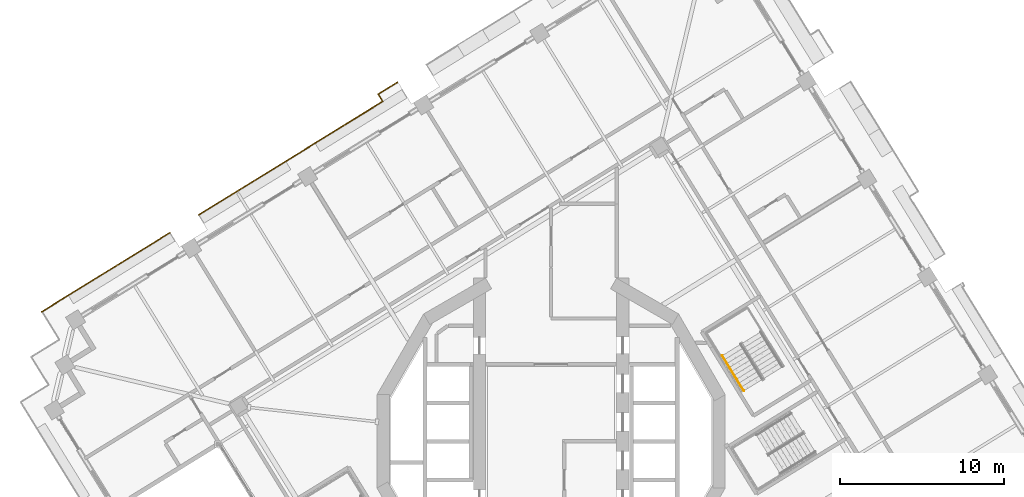
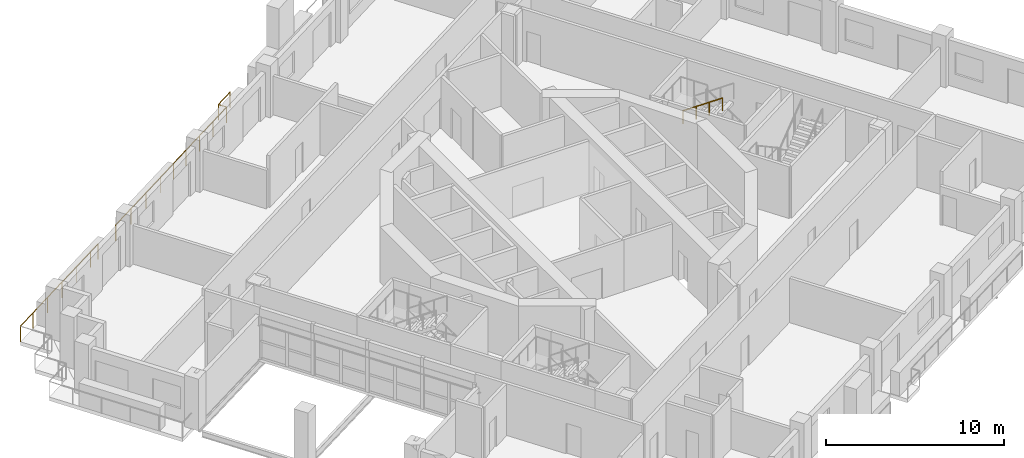
# One storey, part 17 of 20: 3 railings.
"""IFC4 building model written with IfcOpenShell, lengths in metres."""

from ifc_helpers import new_model, si_unit, direction, frame, origin, origin_2d, place, context, subcontext, project, spatial, circle, extrude, material, type_object, element, save


model = new_model("IFC4")

# Units and contexts
model_context = context("Model", 3, precision=1e-05, world=origin(), true_north=direction((0.0, 1.0)))
body_context = subcontext(model_context, "Body", "Model", "MODEL_VIEW")
ifc_project = project(units=[si_unit("LENGTHUNIT", "METRE"), si_unit("AREAUNIT", "SQUARE_METRE"), si_unit("VOLUMEUNIT", "CUBIC_METRE"), si_unit("PLANEANGLEUNIT", "RADIAN"), si_unit("MASSUNIT", "GRAM", prefix="KILO")], contexts=[model_context])

# Site, building, storey
site_placement = place(None, origin())
site = spatial("IfcSite", under=ifc_project, at=site_placement, CompositionType="ELEMENT")
building_placement = place(site_placement, origin())
building = spatial("IfcBuilding", under=site, at=building_placement, Name="Cantera Rosa Tower", CompositionType="ELEMENT")
storey_placement = place(building_placement, frame((0.0, 0.0, 155.199951171875)))
storey = spatial("IfcBuildingStorey", under=building, at=storey_placement, Name="L33", CompositionType="ELEMENT", Elevation=155.199951171875)

# Railings
ifc_material_1 = material(Name="Stainless steel and laminated glass", Category="steel")
railing_type_1 = type_object("IfcRailingType", Name="GUARD 1100", PredefinedType="BALUSTRADE", material=ifc_material_1)
railing_1_placement = place(storey_placement, frame((-31.08056640625, 7.911376953125, 0.0)))
element("IfcRailing", 1, at=railing_1_placement, inside=storey, type_object=railing_type_1, Name="GUARD L33-4", PredefinedType="BALUSTRADE", context=body_context, shape_type="SweptSolid", body=[
    extrude(circle(Radius=0.030029296875, at=origin_2d()), frame((0.0, 0.0, 1.070068359375), z_axis=(0.851138143202, 0.52494176933, 0.0), x_axis=(-0.52494176933, 0.851138143202, 0.0)), (0.0, 0.0, 1.0), 1.5),
    extrude(circle(Radius=0.030029296875, at=origin_2d()), frame((1.276611328125, 0.787353515625, 1.070068359375), z_axis=(0.851120753703, 0.524969963537, 0.0), x_axis=(-0.524969963537, 0.851120753703, 0.0)), (0.0, 0.0, 1.0), 6.820068359375),
    extrude(circle(Radius=0.030029296875, at=origin_2d()), frame((7.081298828125, 4.36767578125, 1.070068359375), z_axis=(0.851089370259, 0.525020841331, 0.0), x_axis=(-0.525020841331, 0.851089370259, 0.0)), (0.0, 0.0, 1.0), 0.8701171875),
    extrude(circle(Radius=0.02490234375, at=origin_2d()), origin(), (0.0, 0.0, 1.0), 1.0400390625),
    extrude(circle(Radius=0.02490234375, at=origin_2d()), frame((1.276611328125, 0.787353515625, 0.0)), (0.0, 0.0, 1.0), 1.0400390625),
    extrude(circle(Radius=0.02490234375, at=origin_2d()), frame((2.727783203125, 1.682373046875, 0.0)), (0.0, 0.0, 1.0), 1.0400390625),
    extrude(circle(Radius=0.02490234375, at=origin_2d()), frame((4.178955078125, 2.57763671875, 0.0)), (0.0, 0.0, 1.0), 1.0400390625),
    extrude(circle(Radius=0.02490234375, at=origin_2d()), frame((5.630126953125, 3.47265625, 0.0)), (0.0, 0.0, 1.0), 1.0400390625),
    extrude(circle(Radius=0.02490234375, at=origin_2d()), frame((7.081298828125, 4.36767578125, 0.0)), (0.0, 0.0, 1.0), 1.0400390625),
    extrude(circle(Radius=0.02490234375, at=origin_2d()), frame((7.82177734375, 4.824462890625, 0.0)), (0.0, 0.0, 1.0), 1.0400390625),
])
railing_2_placement = place(storey_placement, frame((-21.505615234375, 13.817138671875, 0.0)))
element("IfcRailing", 2, at=railing_2_placement, inside=storey, type_object=railing_type_1, Name="GUARD L33-6", PredefinedType="BALUSTRADE", context=body_context, shape_type="SweptSolid", body=[
    extrude(circle(Radius=0.030029296875, at=origin_2d()), frame((0.0, 0.0, 1.070068359375), z_axis=(0.850339408664, 0.52623463405, 0.0), x_axis=(-0.52623463405, 0.850339408664, 0.0)), (0.0, 0.0, 1.0), 0.070068359375),
    extrude(circle(Radius=0.030029296875, at=origin_2d()), frame((0.0595703125, 0.036865234375, 1.070068359375), z_axis=(0.851115851, 0.524977912085, 0.0), x_axis=(-0.524977912085, 0.851115851, 0.0)), (0.0, 0.0, 1.0), 5.320068359375),
    extrude(circle(Radius=0.030029296875, at=origin_2d()), frame((4.587646484375, 2.829833984375, 1.070068359375), z_axis=(0.851138143202, 0.52494176933, 0.0), x_axis=(-0.52494176933, 0.851138143202, 0.0)), (0.0, 0.0, 1.0), 2.999755859375),
    extrude(circle(Radius=0.030029296875, at=origin_2d()), frame((7.140869140625, 4.404541015625, 1.070068359375), z_axis=(0.851118219658, 0.524974071899, 0.0), x_axis=(-0.524974071899, 0.851118219658, 0.0)), (0.0, 0.0, 1.0), 4.7998046875),
    extrude(circle(Radius=0.030029296875, at=origin_2d()), frame((11.22607421875, 6.92431640625, 1.070068359375), z_axis=(-0.525013333851, 0.851094001435, 0.0), x_axis=(-0.851094001435, -0.525013333851, 0.0)), (0.0, 0.0, 1.0), 0.520263671875),
    extrude(circle(Radius=0.030029296875, at=origin_2d()), frame((10.952880859375, 7.3671875, 1.070068359375), z_axis=(0.851091103489, 0.525018031655, 0.0), x_axis=(-0.525018031655, 0.851091103489, 0.0)), (0.0, 0.0, 1.0), 1.390380859375),
    extrude(circle(Radius=0.02490234375, at=origin_2d()), origin(), (0.0, 0.0, 1.0), 1.0400390625),
    extrude(circle(Radius=0.02490234375, at=origin_2d()), frame((0.0595703125, 0.036865234375, 0.0)), (0.0, 0.0, 1.0), 1.0400390625),
    extrude(circle(Radius=0.02490234375, at=origin_2d()), frame((1.56884765625, 0.9677734375, 0.0)), (0.0, 0.0, 1.0), 1.0400390625),
    extrude(circle(Radius=0.02490234375, at=origin_2d()), frame((3.078369140625, 1.89892578125, 0.0)), (0.0, 0.0, 1.0), 1.0400390625),
    extrude(circle(Radius=0.02490234375, at=origin_2d()), frame((4.587646484375, 2.829833984375, 0.0)), (0.0, 0.0, 1.0), 1.0400390625),
    extrude(circle(Radius=0.02490234375, at=origin_2d()), frame((5.8642578125, 3.6171875, 0.0)), (0.0, 0.0, 1.0), 1.0400390625),
    extrude(circle(Radius=0.02490234375, at=origin_2d()), frame((7.140869140625, 4.404541015625, 0.0)), (0.0, 0.0, 1.0), 1.0400390625),
    extrude(circle(Radius=0.02490234375, at=origin_2d()), frame((8.502685546875, 5.244384765625, 0.0)), (0.0, 0.0, 1.0), 1.0400390625),
    extrude(circle(Radius=0.02490234375, at=origin_2d()), frame((9.8642578125, 6.08447265625, 0.0)), (0.0, 0.0, 1.0), 1.0400390625),
    extrude(circle(Radius=0.02490234375, at=origin_2d()), frame((11.22607421875, 6.92431640625, 0.0)), (0.0, 0.0, 1.0), 1.0400390625),
    extrude(circle(Radius=0.02490234375, at=origin_2d()), frame((10.952880859375, 7.3671875, 0.0)), (0.0, 0.0, 1.0), 1.0400390625),
    extrude(circle(Radius=0.02490234375, at=origin_2d()), frame((12.13623046875, 8.09716796875, 0.0)), (0.0, 0.0, 1.0), 1.0400390625),
])
ifc_material_2 = material(Name="Steel S355J2 (EN 10025-2)", Category="steel")
railing_type_2 = type_object("IfcRailingType", Name="STAIR HANDRAIL 900", PredefinedType="HANDRAIL", material=ifc_material_2)
railing_3_placement = place(storey_placement, frame((10.441650390625, 5.2314453125, 2.090087890625)))
element("IfcRailing", 3, at=railing_3_placement, inside=storey, type_object=railing_type_2, Name="L33 ST-31 stair handrail 2", PredefinedType="HANDRAIL", context=body_context, shape_type="SweptSolid", body=[
    extrude(circle(Radius=0.02392578125, at=origin_2d()), frame((0.0, 0.0, 0.8759765625), z_axis=(0.434427613125, -0.704271375033, 0.561493080334), x_axis=(0.851102330005, 0.524999832248, 0.0)), (0.0, 0.0, 1.0), 3.04541015625),
    extrude(circle(Radius=0.02099609375, at=origin_2d()), origin(), (0.0, 0.0, 1.0), 0.851806640625),
    extrude(circle(Radius=0.02099609375, at=origin_2d()), frame((0.44091796875, -0.71484375, 0.570068359375)), (0.0, 0.0, 1.0), 0.851806640625),
    extrude(circle(Radius=0.02099609375, at=origin_2d()), frame((0.882080078125, -1.429931640625, 1.139892578125)), (0.0, 0.0, 1.0), 0.851806640625),
    extrude(circle(Radius=0.02099609375, at=origin_2d()), frame((1.322998046875, -2.144775390625, 1.7099609375)), (0.0, 0.0, 1.0), 0.851806640625),
])

save(model, "model.ifc")
